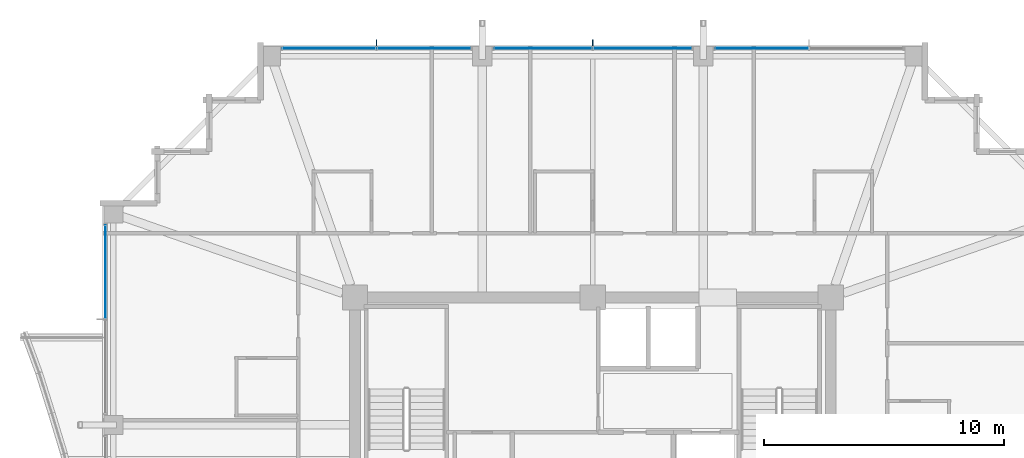
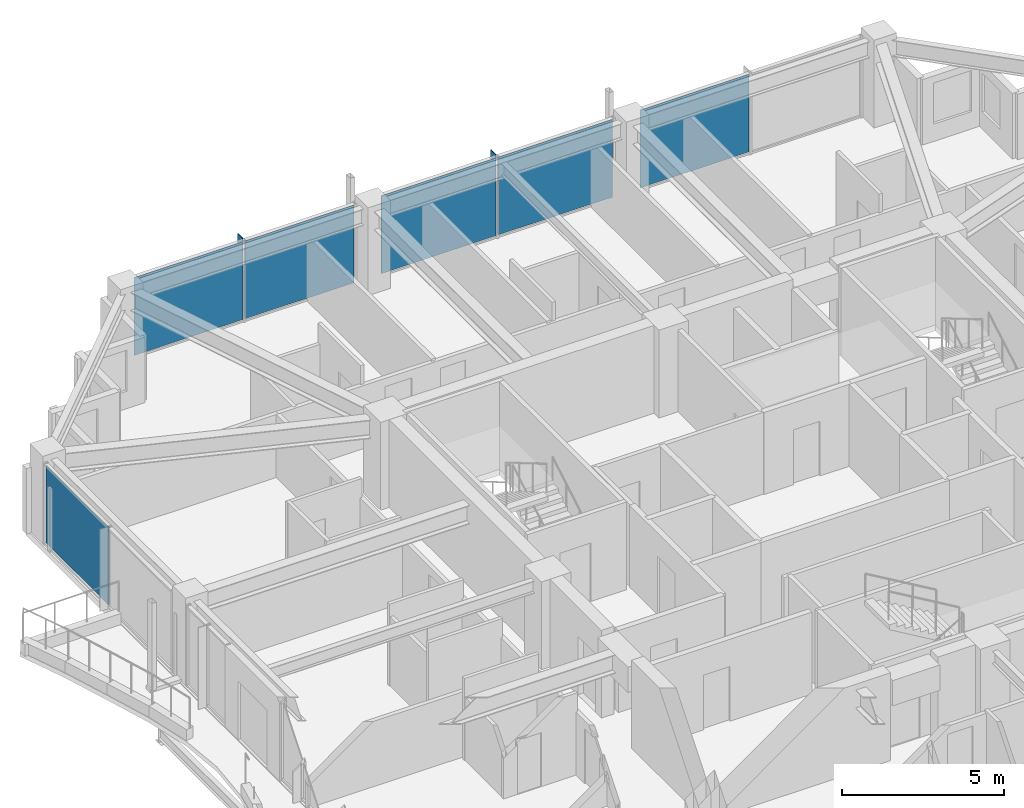
# One storey, part 27 of 35: 8 plates, 4 elements without a shape of their own.
"""IFC4 building model written with IfcOpenShell, lengths in metres."""

from ifc_helpers import new_model, si_unit, direction, frame, origin, origin_2d, place, context, subcontext, project, spatial, rectangle, extrude, material, layer, layer_set, type_object, element, aggregate, save


model = new_model("IFC4")

# Units and contexts
model_context = context("Model", 3, precision=1e-05, world=origin(), true_north=direction((0.0, 1.0)))
body_context = subcontext(model_context, "Body", "Model", "MODEL_VIEW")
ifc_project = project(units=[si_unit("LENGTHUNIT", "METRE"), si_unit("AREAUNIT", "SQUARE_METRE"), si_unit("VOLUMEUNIT", "CUBIC_METRE"), si_unit("PLANEANGLEUNIT", "RADIAN"), si_unit("MASSUNIT", "GRAM", prefix="KILO")], contexts=[model_context])

# Site, building, storey
site_placement = place(None, origin())
site = spatial("IfcSite", under=ifc_project, at=site_placement, CompositionType="ELEMENT")
building_placement = place(site_placement, origin())
building = spatial("IfcBuilding", under=site, at=building_placement, Name="Kolvaren Belvedere", CompositionType="ELEMENT")
storey_placement = place(building_placement, frame((0.0, 0.0, 216.300048828125)))
storey = spatial("IfcBuildingStorey", under=building, at=storey_placement, Name="L63", CompositionType="ELEMENT", Elevation=216.300048828125)

# Curtain wall, plates
ifc_material_1 = material(Name="Anodised pale-metal aluminium AA 6063-T6", Category="aluminium")
curtain_wall_type = type_object("IfcCurtainWallType", Name="CW-Z5-HIGH", PredefinedType="NOTDEFINED", material=ifc_material_1)
curtain_wall_1_placement = place(storey_placement, origin())
curtain_wall_1 = element("IfcCurtainWall", 1, at=curtain_wall_1_placement, inside=storey, type_object=curtain_wall_type, Name="L63 Unitised Curtain Wall FCW-L63-N-B1", PredefinedType="NOTDEFINED")
ifc_material_2 = material(Name="Low-iron triple insulated glass", Category="glass")
ifc_layer_1 = layer(ifc_material_2, 0.028076171875)
ifc_layer_set_1 = layer_set([ifc_layer_1], Name="Low-iron triple insulated glass")
plate_type_1 = type_object("IfcPlateType", Name="CW-PNL-VIS28", PredefinedType="CURTAIN_PANEL", material=ifc_layer_set_1)
plate_1_placement = place(storey_placement, frame((-10.972412109375, 20.280029296875, 0.080078125), z_axis=(0.0, 0.0, 1.0), x_axis=(1.0, 0.0, 0.0)))
plate_1 = element("IfcPlate", 2, at=plate_1_placement, type_object=plate_type_1, Name="FCW-L63-N-B1 Vision Glazing Panel 1", PredefinedType="CURTAIN_PANEL", context=body_context, shape_type="SweptSolid", body=[
    extrude(rectangle(XDim=3.864990234375, YDim=0.028076171875, at=origin_2d()), origin(), (0.0, 0.0, 1.0), 2.919921875),
])
plate_2_placement = place(storey_placement, frame((-7.027587890625, 20.280029296875, 0.080078125), z_axis=(0.0, 0.0, 1.0), x_axis=(1.0, 0.0, 0.0)))
plate_2 = element("IfcPlate", 3, at=plate_2_placement, type_object=plate_type_1, Name="FCW-L63-N-B1 Vision Glazing Panel 2", PredefinedType="CURTAIN_PANEL", context=body_context, shape_type="SweptSolid", body=[
    extrude(rectangle(XDim=3.864990234375, YDim=0.028076171875, at=origin_2d()), origin(), (0.0, 0.0, 1.0), 2.919921875),
])
aggregate(curtain_wall_1, [plate_1, plate_2])

curtain_wall_2_placement = place(storey_placement, origin())
curtain_wall_2 = element("IfcCurtainWall", 4, at=curtain_wall_2_placement, inside=storey, type_object=curtain_wall_type, Name="L63 Unitised Curtain Wall FCW-L63-N-B2", PredefinedType="NOTDEFINED")
plate_3_placement = place(storey_placement, frame((-2.072509765625, 20.280029296875, 0.080078125), z_axis=(0.0, 0.0, 1.0), x_axis=(1.0, 0.0, 0.0)))
plate_3 = element("IfcPlate", 5, at=plate_3_placement, type_object=plate_type_1, Name="FCW-L63-N-B2 Vision Glazing Panel 1", PredefinedType="CURTAIN_PANEL", context=body_context, shape_type="SweptSolid", body=[
    extrude(rectangle(XDim=4.06494140625, YDim=0.028076171875, at=origin_2d()), origin(), (0.0, 0.0, 1.0), 2.919921875),
])
plate_4_placement = place(storey_placement, frame((2.072509765625, 20.280029296875, 0.080078125), z_axis=(0.0, 0.0, 1.0), x_axis=(1.0, 0.0, 0.0)))
plate_4 = element("IfcPlate", 6, at=plate_4_placement, type_object=plate_type_1, Name="FCW-L63-N-B2 Vision Glazing Panel 2", PredefinedType="CURTAIN_PANEL", context=body_context, shape_type="SweptSolid", body=[
    extrude(rectangle(XDim=4.06494140625, YDim=0.028076171875, at=origin_2d()), origin(), (0.0, 0.0, 1.0), 2.919921875),
])
aggregate(curtain_wall_2, [plate_3, plate_4])

# Curtain wall, plate
curtain_wall_3_placement = place(storey_placement, origin())
curtain_wall_3 = element("IfcCurtainWall", 7, at=curtain_wall_3_placement, inside=storey, type_object=curtain_wall_type, Name="L63 Unitised Curtain Wall FCW-L63-N-B3", PredefinedType="NOTDEFINED")
plate_5_placement = place(storey_placement, frame((7.027587890625, 20.280029296875, 0.080078125), z_axis=(0.0, 0.0, 1.0), x_axis=(1.0, 0.0, 0.0)))
plate_5 = element("IfcPlate", 8, at=plate_5_placement, type_object=plate_type_1, Name="FCW-L63-N-B3 Vision Glazing Panel 1", PredefinedType="CURTAIN_PANEL", context=body_context, shape_type="SweptSolid", body=[
    extrude(rectangle(XDim=3.864990234375, YDim=0.028076171875, at=origin_2d()), origin(), (0.0, 0.0, 1.0), 2.919921875),
])
aggregate(curtain_wall_3, [plate_5])

curtain_wall_4_placement = place(storey_placement, origin())
curtain_wall_4 = element("IfcCurtainWall", 9, at=curtain_wall_4_placement, inside=storey, type_object=curtain_wall_type, Name="L63 Unitised Curtain Wall FCW-L63-W2-B2", PredefinedType="NOTDEFINED")
plate_6_placement = place(storey_placement, frame((-20.280029296875, 10.972412109375, 0.080078125), z_axis=(0.0, 0.0, 1.0), x_axis=(0.0, 1.0, 0.0)))
plate_6 = element("IfcPlate", 10, at=plate_6_placement, type_object=plate_type_1, Name="FCW-L63-W2-B2 Vision Glazing Panel 2", PredefinedType="CURTAIN_PANEL", context=body_context, shape_type="SweptSolid", body=[
    extrude(rectangle(XDim=3.864990234375, YDim=0.028076171875, at=origin_2d()), origin(), (0.0, 0.0, 1.0), 2.919921875),
])
aggregate(curtain_wall_4, [plate_6])

# Plates
ifc_material_3 = material(Name="Anodised pale-metal aluminium AA 6063-T6", Category="aluminium")
ifc_layer_2 = layer(ifc_material_3, 0.030029296875)
ifc_layer_set_2 = layer_set([ifc_layer_2], Name="Anodised pale-metal aluminium AA 6063-T6")
plate_type_2 = type_object("IfcPlateType", Name="FIN-VERT-300", PredefinedType="USERDEFINED", material=ifc_layer_set_2)
for number, where, z_axis, x_axis, name in (
    (11, (-9.0, 20.489990234375, 0.0), (0.0, 0.0, 1.0), (0.0, 1.0, 0.0), "L63 Pale-Metal Vertical Shading Fin FCW-L63-N-B1-1"),
    (12, (0.0, 20.489990234375, 0.0), (0.0, 0.0, 1.0), (0.0, 1.0, 0.0), "L63 Pale-Metal Vertical Shading Fin FCW-L63-N-B2-1"),
):
    element("IfcPlate", number, at=place(storey_placement, frame(where, z_axis=z_axis, x_axis=x_axis)), inside=storey, type_object=plate_type_2, Name=name, ObjectType="VERTICAL FIN", PredefinedType="USERDEFINED", context=body_context, shape_type="SweptSolid", body=[
        extrude(rectangle(XDim=0.300048828125, YDim=0.030029296875, at=origin_2d()), origin(), (0.0, 0.0, 1.0), 3.080078125),
    ])

save(model, "model.ifc")
